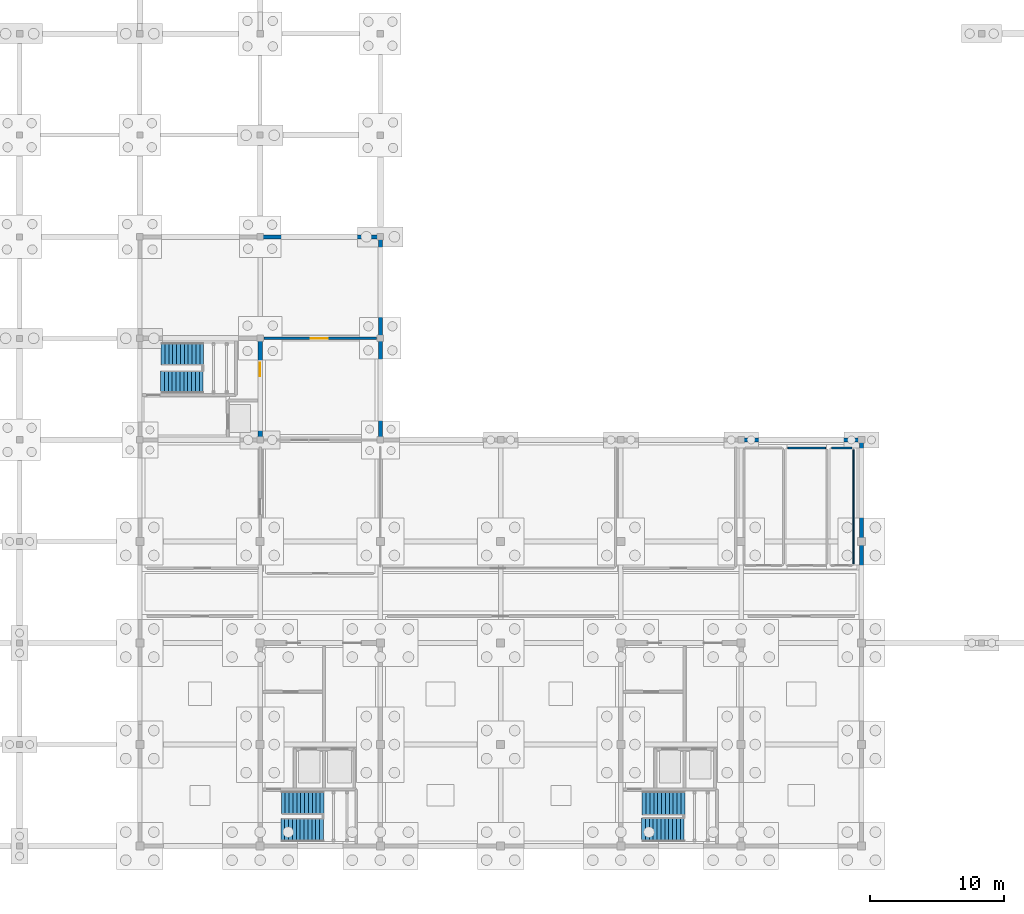
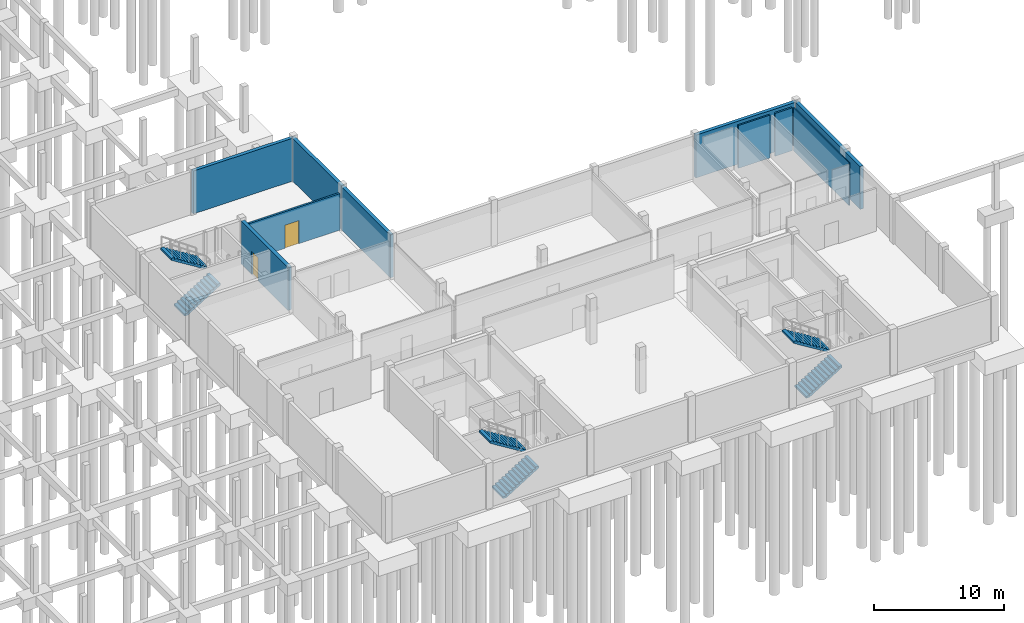
# One storey, part 25 of 28: 10 walls, 6 stair flights, 2 doors, 2 openings, 3 elements without a shape of their own.
"""IFC4 building model written with IfcOpenShell, lengths in metres."""

from ifc_helpers import new_model, si_unit, direction, frame, frame_2d, origin, place, context, subcontext, project, spatial, polyline, rectangle, outline, extrude, material, layer, layer_set, type_object, element, fill, aggregate, save


model = new_model("IFC4")

# Units and contexts
model_context = context("Model", 3, precision=1e-05, world=origin(), true_north=direction((0.0, 1.0)))
body_context = subcontext(model_context, "Body", "Model", "MODEL_VIEW")
ifc_project = project(units=[si_unit("LENGTHUNIT", "METRE"), si_unit("AREAUNIT", "SQUARE_METRE"), si_unit("VOLUMEUNIT", "CUBIC_METRE"), si_unit("PLANEANGLEUNIT", "RADIAN"), si_unit("MASSUNIT", "GRAM", prefix="KILO")], contexts=[model_context])

# Site, building, storey
site_placement = place(None, origin())
site = spatial("IfcSite", under=ifc_project, at=site_placement, CompositionType="ELEMENT")
building_placement = place(site_placement, origin())
building = spatial("IfcBuilding", under=site, at=building_placement, Name="Caisbarro Railhouse Central Library", CompositionType="ELEMENT")
storey_placement = place(building_placement, frame((0.0, 0.0, -4.320068359375)))
storey = spatial("IfcBuildingStorey", under=building, at=storey_placement, Name="B01", CompositionType="ELEMENT", Elevation=-4.320068359375)

# Wall, opening, door
ifc_material_1 = material(Name="Concrete C40", Category="concrete")
ifc_layer_1 = layer(ifc_material_1, 0.320068359375, Name="Concrete C40")
ifc_layer_set_1 = layer_set([ifc_layer_1], Name="Concrete C40")
wall_type_1 = type_object("IfcWallType", Name="WAL-CW32", PredefinedType="SHEAR", material=ifc_layer_set_1)
wall_1_placement = place(storey_placement, frame((63.0, 30.56005859375, 0.0), z_axis=(0.0, 0.0, 1.0), x_axis=(0.0, 1.0, 0.0)))
wall_1 = element("IfcWall", 1, at=wall_1_placement, inside=storey, type_object=wall_type_1, Name="CW32 RC core shear wall B01 #57", PredefinedType="SHEAR", context=body_context, shape_type="SweptSolid", body=[
    extrude(rectangle(XDim=7.280029296875, YDim=0.320068359375, at=frame_2d((3.64013671875, 0.0))), origin(), (0.0, 0.0, 1.0), 4.0400390625),
])
opening_1_placement = place(wall_1_placement, frame((4.60009765625, 0.0, 0.0)))
opening_1 = element("IfcOpeningElement", 2, at=opening_1_placement, cuts=wall_1, Name="Opening FD05", PredefinedType="OPENING", context=body_context, shape_type="SweptSolid", body=[
    extrude(rectangle(XDim=1.0, YDim=2.14990234375, at=frame_2d((0.5, 1.074951171875))), frame((0.0, 0.169921875, 0.0), z_axis=(0.0, -1.0, 0.0), x_axis=(1.0, 0.0, 0.0)), (0.0, 0.0, 1.0), 0.340087890625),
])
ifc_material_2 = material(Name="Fire-rated painted galvanised steel", Category="steel")
door_type_1 = type_object("IfcDoorType", Name="DR-FD05", OperationType="NOTDEFINED", PredefinedType="DOOR", material=ifc_material_2)
door_1_placement = place(opening_1_placement, origin())
door_1 = element("IfcDoor", 3, at=door_1_placement, inside=storey, type_object=door_type_1, Name="Core K4 B01 Lobby Door FD05 B01-102", OperationType="SINGLE_SWING_RIGHT", OverallHeight=2.14990234375, OverallWidth=1.0, PredefinedType="DOOR", context=body_context, shape_type="SweptSolid", body=[
    extrude(rectangle(XDim=1.0, YDim=2.14990234375, at=frame_2d((0.5, 1.074951171875))), frame((0.0, 0.02490234375, 0.0), z_axis=(0.0, -1.0, 0.0), x_axis=(1.0, 0.0, 0.0)), (0.0, 0.0, 1.0), 0.050048828125),
])
fill(opening_1, door_1)

# Walls
ifc_layer_2 = layer(ifc_material_1, 0.300048828125, Name="Concrete C40")
ifc_layer_set_2 = layer_set([ifc_layer_2], Name="Concrete C40")
wall_type_2 = type_object("IfcWallType", Name="WAL-EW30", PredefinedType="SOLIDWALL", material=ifc_layer_set_2)
wall_2_placement = place(storey_placement, frame((108.0, 20.2666015625, 0.0), z_axis=(0.0, 0.0, 1.0), x_axis=(0.0, 1.0, 0.0)))
element("IfcWall", 4, at=wall_2_placement, inside=storey, type_object=wall_type_2, Name="EW30 exterior wall B01 #9", PredefinedType="SOLIDWALL", context=body_context, shape_type="SweptSolid", body=[
    extrude(rectangle(XDim=10.13330078125, YDim=0.300048828125, at=frame_2d((5.066650390625, 0.0))), origin(), (0.0, 0.0, 1.0), 4.0400390625),
])
wall_3_placement = place(storey_placement, frame((108.0, 30.39990234375, 0.0), z_axis=(0.0, 0.0, 1.0), x_axis=(-1.0, 0.0, 0.0)))
element("IfcWall", 5, at=wall_3_placement, inside=storey, type_object=wall_type_2, Name="EW30 exterior wall B01 #10", PredefinedType="SOLIDWALL", context=body_context, shape_type="SweptSolid", body=[
    extrude(rectangle(XDim=9.0, YDim=0.300048828125, at=frame_2d((4.5, 0.0))), origin(), (0.0, 0.0, 1.0), 4.0400390625),
])
for number, where, z_axis, x_axis, name in (
    (6, (72.0, 30.39990234375, 0.0), (0.0, 0.0, 1.0), (0.0, 1.0, 0.0), "EW30 exterior wall B01 #14"),
    (7, (72.0, 38.0, 0.0), (0.0, 0.0, 1.0), (0.0, 1.0, 0.0), "EW30 exterior wall B01 #15"),
):
    element("IfcWall", number, at=place(storey_placement, frame(where, z_axis=z_axis, x_axis=x_axis)), inside=storey, type_object=wall_type_2, Name=name, PredefinedType="SOLIDWALL", context=body_context, shape_type="SweptSolid", body=[
        extrude(rectangle(XDim=7.60009765625, YDim=0.300048828125, at=frame_2d((3.800048828125, 0.0))), origin(), (0.0, 0.0, 1.0), 4.0400390625),
    ])
wall_4_placement = place(storey_placement, frame((72.0, 45.60009765625, 0.0), z_axis=(0.0, 0.0, 1.0), x_axis=(-1.0, 0.0, 0.0)))
element("IfcWall", 8, at=wall_4_placement, inside=storey, type_object=wall_type_2, Name="EW30 exterior wall B01 #16", PredefinedType="SOLIDWALL", context=body_context, shape_type="SweptSolid", body=[
    extrude(rectangle(XDim=9.0, YDim=0.300048828125, at=frame_2d((4.5, 0.0))), origin(), (0.0, 0.0, 1.0), 4.0400390625),
])
ifc_material_3 = material(Name="Acoustic gypsum board on galvanised steel studs", Category="steel")
ifc_layer_3 = layer(ifc_material_3, 0.090087890625, Name="Acoustic gypsum board on galvanised steel studs")
ifc_layer_set_3 = layer_set([ifc_layer_3], Name="Acoustic gypsum board on galvanised steel studs")
wall_type_3 = type_object("IfcWallType", Name="WAL-IW09", PredefinedType="PARTITIONING", material=ifc_layer_set_3)
wall_5_placement = place(storey_placement, frame((107.39990234375, 21.1201171875, 0.0), z_axis=(0.0, 0.0, 1.0), x_axis=(0.0, 1.0, 0.0)))
element("IfcWall", 9, at=wall_5_placement, inside=storey, type_object=wall_type_3, Name="IW09 partition wall B01 #255", PredefinedType="PARTITIONING", context=body_context, shape_type="SweptSolid", body=[
    extrude(rectangle(XDim=8.559814453125, YDim=0.090087890625, at=frame_2d((4.27978515625, 0.0))), origin(), (0.0, 0.0, 1.0), 4.0400390625),
])
ifc_layer_4 = layer(ifc_material_3, 0.1298828125, Name="Acoustic gypsum board on galvanised steel studs")
ifc_layer_set_4 = layer_set([ifc_layer_4], Name="Acoustic gypsum board on galvanised steel studs")
wall_type_4 = type_object("IfcWallType", Name="WAL-IW13", PredefinedType="PARTITIONING", material=ifc_layer_set_4)
wall_6_placement = place(storey_placement, frame((102.488037109375, 29.800048828125, 0.0), z_axis=(0.0, 0.0, 1.0), x_axis=(1.0, 0.0, 0.0)))
element("IfcWall", 10, at=wall_6_placement, inside=storey, type_object=wall_type_4, Name="IW13 partition wall B01 #253", PredefinedType="PARTITIONING", context=body_context, shape_type="SweptSolid", body=[
    extrude(rectangle(XDim=2.827880859375, YDim=0.1298828125, at=frame_2d((1.4140625, 0.0))), origin(), (0.0, 0.0, 1.0), 4.0400390625),
])
ifc_layer_5 = layer(ifc_material_3, 0.14990234375, Name="Acoustic gypsum board on galvanised steel studs")
ifc_layer_set_5 = layer_set([ifc_layer_5], Name="Acoustic gypsum board on galvanised steel studs")
wall_type_5 = type_object("IfcWallType", Name="WAL-IW15", PredefinedType="PARTITIONING", material=ifc_layer_set_5)
wall_7_placement = place(storey_placement, frame((105.756103515625, 29.800048828125, 0.0), z_axis=(0.0, 0.0, 1.0), x_axis=(1.0, 0.0, 0.0)))
element("IfcWall", 11, at=wall_7_placement, inside=storey, type_object=wall_type_5, Name="IW15 partition wall B01 #256", PredefinedType="PARTITIONING", context=body_context, shape_type="SweptSolid", body=[
    extrude(rectangle(XDim=1.52392578125, YDim=0.14990234375, at=frame_2d((0.761962890625, 0.0))), origin(), (0.0, 0.0, 1.0), 4.0400390625),
])

# Wall, opening, door
ifc_material_4 = material(Name="Plastered cellular concrete masonry", Category="masonry")
ifc_layer_6 = layer(ifc_material_4, 0.169921875, Name="Plastered cellular concrete masonry")
ifc_layer_set_6 = layer_set([ifc_layer_6], Name="Plastered cellular concrete masonry")
wall_type_6 = type_object("IfcWallType", Name="WAL-IW17", PredefinedType="PARTITIONING", material=ifc_layer_set_6)
wall_8_placement = place(storey_placement, frame((63.300048828125, 38.0, 0.0), z_axis=(0.0, 0.0, 1.0), x_axis=(1.0, 0.0, 0.0)))
wall_8 = element("IfcWall", 12, at=wall_8_placement, inside=storey, type_object=wall_type_6, Name="IW17 partition wall B01 #236", PredefinedType="PARTITIONING", context=body_context, shape_type="SweptSolid", body=[
    extrude(rectangle(XDim=8.39990234375, YDim=0.169921875, at=frame_2d((4.199951171875, 0.0))), origin(), (0.0, 0.0, 1.0), 3.449951171875),
])
opening_2_placement = place(wall_8_placement, frame((3.5, 0.0, 0.0)))
opening_2 = element("IfcOpeningElement", 13, at=opening_2_placement, cuts=wall_8, Name="Opening FD04", PredefinedType="OPENING", context=body_context, shape_type="SweptSolid", body=[
    extrude(rectangle(XDim=1.25, YDim=2.179931640625, at=frame_2d((0.625, 1.08984375))), frame((0.0, 0.094970703125, 0.0), z_axis=(0.0, -1.0, 0.0), x_axis=(1.0, 0.0, 0.0)), (0.0, 0.0, 1.0), 0.18994140625),
])
door_type_2 = type_object("IfcDoorType", Name="DR-FD04", OperationType="NOTDEFINED", PredefinedType="DOOR", material=ifc_material_2)
door_2_placement = place(opening_2_placement, origin())
door_2 = element("IfcDoor", 14, at=door_2_placement, inside=storey, type_object=door_type_2, Name="Sprinkler Plant Door FD04 B01-160", OperationType="SINGLE_SWING_RIGHT", OverallHeight=2.179931640625, OverallWidth=1.25, PredefinedType="DOOR", context=body_context, shape_type="SweptSolid", body=[
    extrude(rectangle(XDim=1.25, YDim=2.179931640625, at=frame_2d((0.625, 1.08984375))), frame((0.0, 0.02490234375, 0.0), z_axis=(0.0, -1.0, 0.0), x_axis=(1.0, 0.0, 0.0)), (0.0, 0.0, 1.0), 0.050048828125),
])
fill(opening_2, door_2)

# Stair, stair flights
ifc_material_5 = material(Name="Concrete C35", Category="concrete")
stair_type_1 = type_object("IfcStairType", Name="STR-ST43A", PredefinedType="HALF_TURN_STAIR", material=ifc_material_5)
stair_1_placement = place(storey_placement, origin())
stair_1 = element("IfcStair", 15, at=stair_1_placement, inside=storey, type_object=stair_type_1, Name="Protected Stair ST-04 (B01)", PredefinedType="HALF_TURN_STAIR")
stair_flight_type_1 = type_object("IfcStairFlightType", Name="STF-ST43A", PredefinedType="STRAIGHT", material=ifc_material_5)
stair_flight_1_placement = place(storey_placement, frame((55.550048828125, 34.719970703125, 0.0), z_axis=(0.0, 0.0, 1.0), x_axis=(1.0, 0.0, 0.0)))
stair_flight_1 = element("IfcStairFlight", 16, at=stair_flight_1_placement, type_object=stair_flight_type_1, Name="ST-04 flight 1", NumberOfRisers=12, NumberOfTreads=11, PredefinedType="STRAIGHT", RiserHeight=0.18, TreadLength=0.29, context=body_context, shape_type="SweptSolid", body=[
    extrude(outline(polyline([(0.0, 0.0), (0.0, 0.179931640625), (0.2900390625, 0.179931640625), (0.2900390625, 0.360107421875), (0.580078125, 0.360107421875), (0.580078125, 0.5400390625), (0.8701171875, 0.5400390625), (0.8701171875, 0.719970703125), (1.159912109375, 0.719970703125), (1.159912109375, 0.89990234375), (1.449951171875, 0.89990234375), (1.449951171875, 1.080078125), (1.739990234375, 1.080078125), (1.739990234375, 1.260009765625), (2.030029296875, 1.260009765625), (2.030029296875, 1.43994140625), (2.320068359375, 1.43994140625), (2.320068359375, 1.6201171875), (2.610107421875, 1.6201171875), (2.610107421875, 1.800048828125), (2.89990234375, 1.800048828125), (2.89990234375, 1.97998046875), (3.18994140625, 1.97998046875), (3.18994140625, 2.159912109375), (3.18994140625, 1.791748046875), (0.30322265625, 0.0), (0.0, 0.0)])), frame((0.0, 0.830078125, 0.0), z_axis=(0.0, -1.0, 0.0), x_axis=(1.0, 0.0, 0.0)), (0.0, 0.0, 1.0), 1.659912109375),
])
stair_flight_2_placement = place(storey_placement, frame((58.780029296875, 36.830078125, 2.16015625), z_axis=(0.0, 0.0, 1.0), x_axis=(-1.0, 0.0, 0.0)))
stair_flight_2 = element("IfcStairFlight", 17, at=stair_flight_2_placement, type_object=stair_flight_type_1, Name="ST-04 flight 2", NumberOfRisers=12, NumberOfTreads=11, PredefinedType="STRAIGHT", RiserHeight=0.18, TreadLength=0.29, context=body_context, shape_type="SweptSolid", body=[
    extrude(outline(polyline([(0.0, 0.0), (0.0, 0.179931640625), (0.2900390625, 0.179931640625), (0.2900390625, 0.360107421875), (0.580078125, 0.360107421875), (0.580078125, 0.5400390625), (0.8701171875, 0.5400390625), (0.8701171875, 0.719970703125), (1.159912109375, 0.719970703125), (1.159912109375, 0.89990234375), (1.449951171875, 0.89990234375), (1.449951171875, 1.080078125), (1.739990234375, 1.080078125), (1.739990234375, 1.260009765625), (2.030029296875, 1.260009765625), (2.030029296875, 1.43994140625), (2.320068359375, 1.43994140625), (2.320068359375, 1.6201171875), (2.610107421875, 1.6201171875), (2.610107421875, 1.800048828125), (2.89990234375, 1.800048828125), (2.89990234375, 1.97998046875), (3.18994140625, 1.97998046875), (3.18994140625, 2.159912109375), (3.18994140625, 1.791748046875), (0.30322265625, 0.0), (0.0, 0.0)])), frame((0.0, 0.830078125, 0.0), z_axis=(0.0, -1.0, 0.0), x_axis=(1.0, 0.0, 0.0)), (0.0, 0.0, 1.0), 1.659912109375),
])
aggregate(stair_1, [stair_flight_1, stair_flight_2])

stair_type_2 = type_object("IfcStairType", Name="STR-ST43B", PredefinedType="HALF_TURN_STAIR", material=ifc_material_5)
stair_2_placement = place(storey_placement, origin())
stair_2 = element("IfcStair", 18, at=stair_2_placement, inside=storey, type_object=stair_type_2, Name="Protected Stair ST-01 (B01)", PredefinedType="HALF_TURN_STAIR")
stair_flight_type_2 = type_object("IfcStairFlightType", Name="STF-ST43B", PredefinedType="STRAIGHT", material=ifc_material_5)
stair_flight_3_placement = place(storey_placement, frame((64.550048828125, 1.199951171875, 0.0), z_axis=(0.0, 0.0, 1.0), x_axis=(1.0, 0.0, 0.0)))
stair_flight_3 = element("IfcStairFlight", 19, at=stair_flight_3_placement, type_object=stair_flight_type_2, Name="ST-01 flight 1", NumberOfRisers=12, NumberOfTreads=11, PredefinedType="STRAIGHT", RiserHeight=0.18, TreadLength=0.29, context=body_context, shape_type="SweptSolid", body=[
    extrude(outline(polyline([(0.0, 0.0), (0.0, 0.179931640625), (0.2900390625, 0.179931640625), (0.2900390625, 0.360107421875), (0.580078125, 0.360107421875), (0.580078125, 0.5400390625), (0.8701171875, 0.5400390625), (0.8701171875, 0.719970703125), (1.159912109375, 0.719970703125), (1.159912109375, 0.89990234375), (1.449951171875, 0.89990234375), (1.449951171875, 1.080078125), (1.739990234375, 1.080078125), (1.739990234375, 1.260009765625), (2.030029296875, 1.260009765625), (2.030029296875, 1.43994140625), (2.320068359375, 1.43994140625), (2.320068359375, 1.6201171875), (2.610107421875, 1.6201171875), (2.610107421875, 1.800048828125), (2.89990234375, 1.800048828125), (2.89990234375, 1.97998046875), (3.18994140625, 1.97998046875), (3.18994140625, 2.159912109375), (3.18994140625, 1.791748046875), (0.30322265625, 0.0), (0.0, 0.0)])), frame((0.0, 0.85986328125, 0.0), z_axis=(0.0, -1.0, 0.0), x_axis=(1.0, 0.0, 0.0)), (0.0, 0.0, 1.0), 1.719970703125),
])
stair_flight_4_placement = place(storey_placement, frame((67.780029296875, 3.25, 2.16015625), z_axis=(0.0, 0.0, 1.0), x_axis=(-1.0, 0.0, 0.0)))
stair_flight_4 = element("IfcStairFlight", 20, at=stair_flight_4_placement, type_object=stair_flight_type_2, Name="ST-01 flight 2", NumberOfRisers=12, NumberOfTreads=11, PredefinedType="STRAIGHT", RiserHeight=0.18, TreadLength=0.29, context=body_context, shape_type="SweptSolid", body=[
    extrude(outline(polyline([(0.0, 0.0), (0.0, 0.179931640625), (0.2900390625, 0.179931640625), (0.2900390625, 0.360107421875), (0.580078125, 0.360107421875), (0.580078125, 0.5400390625), (0.8701171875, 0.5400390625), (0.8701171875, 0.719970703125), (1.159912109375, 0.719970703125), (1.159912109375, 0.89990234375), (1.449951171875, 0.89990234375), (1.449951171875, 1.080078125), (1.739990234375, 1.080078125), (1.739990234375, 1.260009765625), (2.030029296875, 1.260009765625), (2.030029296875, 1.43994140625), (2.320068359375, 1.43994140625), (2.320068359375, 1.6201171875), (2.610107421875, 1.6201171875), (2.610107421875, 1.800048828125), (2.89990234375, 1.800048828125), (2.89990234375, 1.97998046875), (3.18994140625, 1.97998046875), (3.18994140625, 2.159912109375), (3.18994140625, 1.791748046875), (0.30322265625, 0.0), (0.0, 0.0)])), frame((0.0, 0.85986328125, 0.0), z_axis=(0.0, -1.0, 0.0), x_axis=(1.0, 0.0, 0.0)), (0.0, 0.0, 1.0), 1.719970703125),
])
aggregate(stair_2, [stair_flight_3, stair_flight_4])

stair_type_3 = type_object("IfcStairType", Name="STR-ST43C", PredefinedType="HALF_TURN_STAIR", material=ifc_material_5)
stair_3_placement = place(storey_placement, origin())
stair_3 = element("IfcStair", 21, at=stair_3_placement, inside=storey, type_object=stair_type_3, Name="Protected Stair ST-02 (B01)", PredefinedType="HALF_TURN_STAIR")
stair_flight_type_3 = type_object("IfcStairFlightType", Name="STF-ST43C", PredefinedType="STRAIGHT", material=ifc_material_5)
stair_flight_5_placement = place(storey_placement, frame((91.550048828125, 1.22998046875, 0.0), z_axis=(0.0, 0.0, 1.0), x_axis=(1.0, 0.0, 0.0)))
stair_flight_5 = element("IfcStairFlight", 22, at=stair_flight_5_placement, type_object=stair_flight_type_3, Name="ST-02 flight 1", NumberOfRisers=12, NumberOfTreads=11, PredefinedType="STRAIGHT", RiserHeight=0.18, TreadLength=0.29, context=body_context, shape_type="SweptSolid", body=[
    extrude(outline(polyline([(0.0, 0.0), (0.0, 0.179931640625), (0.2900390625, 0.179931640625), (0.2900390625, 0.360107421875), (0.580078125, 0.360107421875), (0.580078125, 0.5400390625), (0.8701171875, 0.5400390625), (0.8701171875, 0.719970703125), (1.159912109375, 0.719970703125), (1.159912109375, 0.89990234375), (1.449951171875, 0.89990234375), (1.449951171875, 1.080078125), (1.739990234375, 1.080078125), (1.739990234375, 1.260009765625), (2.030029296875, 1.260009765625), (2.030029296875, 1.43994140625), (2.320068359375, 1.43994140625), (2.320068359375, 1.6201171875), (2.610107421875, 1.6201171875), (2.610107421875, 1.800048828125), (2.89990234375, 1.800048828125), (2.89990234375, 1.97998046875), (3.18994140625, 1.97998046875), (3.18994140625, 2.159912109375), (3.18994140625, 1.791748046875), (0.30322265625, 0.0), (0.0, 0.0)])), frame((0.0, 0.89013671875, 0.0), z_axis=(0.0, -1.0, 0.0), x_axis=(1.0, 0.0, 0.0)), (0.0, 0.0, 1.0), 1.780029296875),
])
stair_flight_6_placement = place(storey_placement, frame((94.780029296875, 3.219970703125, 2.16015625), z_axis=(0.0, 0.0, 1.0), x_axis=(-1.0, 0.0, 0.0)))
stair_flight_6 = element("IfcStairFlight", 23, at=stair_flight_6_placement, type_object=stair_flight_type_3, Name="ST-02 flight 2", NumberOfRisers=12, NumberOfTreads=11, PredefinedType="STRAIGHT", RiserHeight=0.18, TreadLength=0.29, context=body_context, shape_type="SweptSolid", body=[
    extrude(outline(polyline([(0.0, 0.0), (0.0, 0.179931640625), (0.2900390625, 0.179931640625), (0.2900390625, 0.360107421875), (0.580078125, 0.360107421875), (0.580078125, 0.5400390625), (0.8701171875, 0.5400390625), (0.8701171875, 0.719970703125), (1.159912109375, 0.719970703125), (1.159912109375, 0.89990234375), (1.449951171875, 0.89990234375), (1.449951171875, 1.080078125), (1.739990234375, 1.080078125), (1.739990234375, 1.260009765625), (2.030029296875, 1.260009765625), (2.030029296875, 1.43994140625), (2.320068359375, 1.43994140625), (2.320068359375, 1.6201171875), (2.610107421875, 1.6201171875), (2.610107421875, 1.800048828125), (2.89990234375, 1.800048828125), (2.89990234375, 1.97998046875), (3.18994140625, 1.97998046875), (3.18994140625, 2.159912109375), (3.18994140625, 1.791748046875), (0.30322265625, 0.0), (0.0, 0.0)])), frame((0.0, 0.89013671875, 0.0), z_axis=(0.0, -1.0, 0.0), x_axis=(1.0, 0.0, 0.0)), (0.0, 0.0, 1.0), 1.780029296875),
])
aggregate(stair_3, [stair_flight_5, stair_flight_6])

save(model, "model.ifc")
